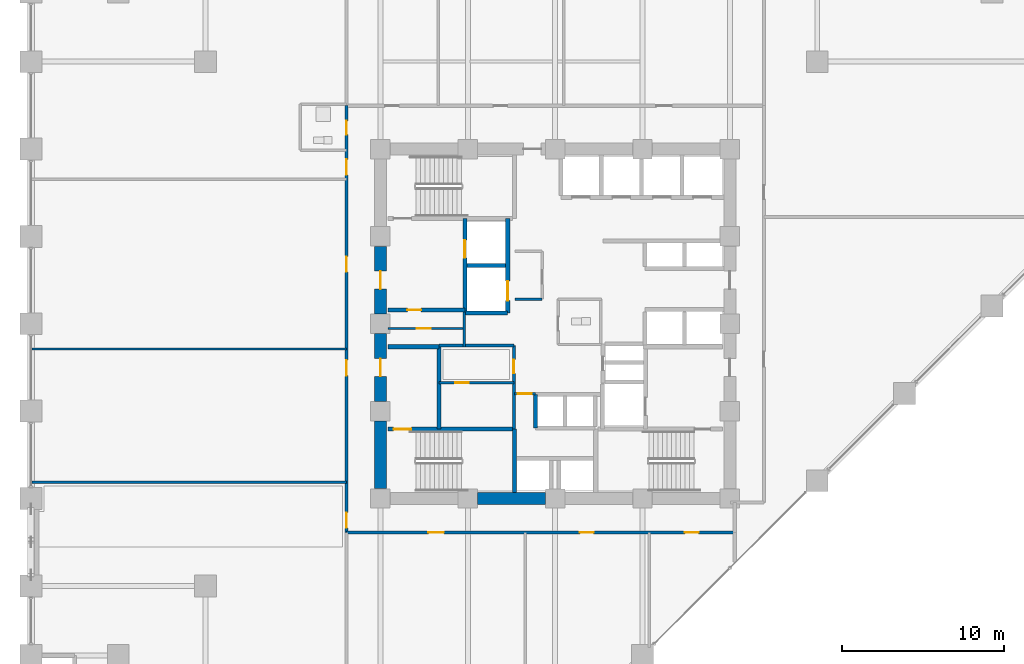
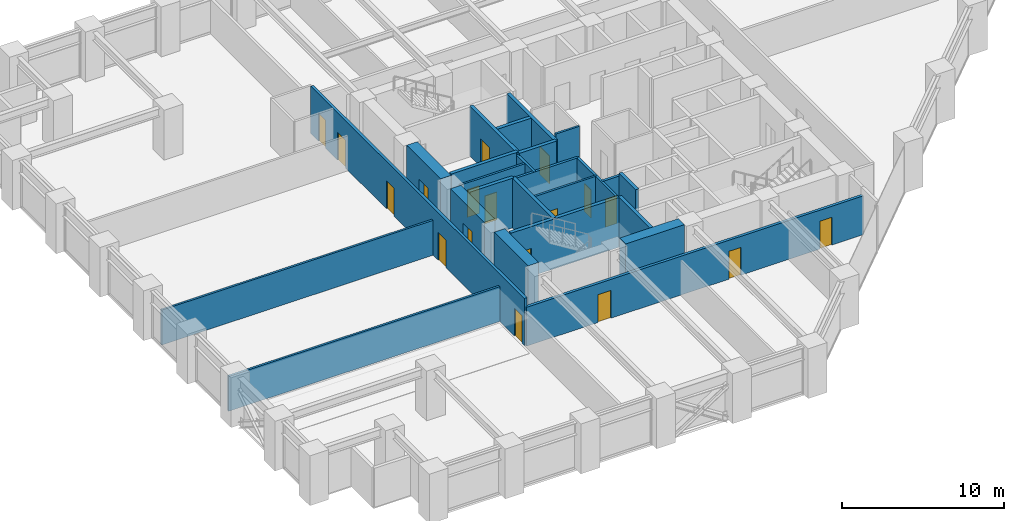
# One storey, part 20 of 25: 25 walls, 18 doors, 18 openings.
"""IFC4 building model written with IfcOpenShell, lengths in metres."""

import ifcopenshell
import ifcopenshell.guid

model = None  # the IFC model being written
_history = None  # IfcOwnerHistory: only IFC2X3 demands one
_inside = {}  # id of a spatial element -> (the spatial element, [elements in it])
_under = {}  # id of a project, library or spatial element -> (it, [spatial elements below it])
_declared = {}  # id of a project -> (the project, [libraries it declares])
_typed = {}  # id of a type object -> (the type object, [elements of that type])
_made_of = {}  # id of a material, layer set ... -> (it, [elements and type objects made of it])


def new_model(schema):
    """Start an empty IFC model of exactly this schema.

    Asked for "IFC4X3", IfcOpenShell would pick the latest addendum, in which some entities
    have other attributes; the version numbers below select the first issue.
    IFC2X3 requires an IfcOwnerHistory on every rooted entity: one is made here for all.
    """
    global model, _history
    if schema == "IFC4X3":
        model = ifcopenshell.file(schema_version=(4, 3, 0, 0))
    else:
        model = ifcopenshell.file(schema=schema)
    _inside.clear()
    _under.clear()
    _declared.clear()
    _typed.clear()
    _made_of.clear()
    _history = None
    if model.schema == "IFC2X3":
        org = make("IfcOrganization", Name="unknown")
        user = make(
            "IfcPersonAndOrganization",
            ThePerson=make("IfcPerson", FamilyName="unknown"),
            TheOrganization=org,
        )
        app = make(
            "IfcApplication",
            ApplicationDeveloper=org,
            Version="unknown",
            ApplicationFullName="unknown",
            ApplicationIdentifier="unknown",
        )
        _history = make(
            "IfcOwnerHistory",
            OwningUser=user,
            OwningApplication=app,
            ChangeAction="ADDED",
            CreationDate=0,
        )
    return model


def make(cls, **values):
    """One entity of the class cls with the attributes given. An attribute that is None is left unset."""
    return model.create_entity(
        cls, **{name: value for name, value in values.items() if value is not None}
    )


def rooted(cls, **values):
    """An entity with a GlobalId (a new one), such as an element, a storey or a relation."""
    return make(cls, GlobalId=ifcopenshell.guid.new(), OwnerHistory=_history, **values)


def si_unit(unit_type, name, prefix=None):
    """IfcSIUnit, for example si_unit("LENGTHUNIT", "METRE", prefix="MILLI")."""
    return make("IfcSIUnit", UnitType=unit_type, Prefix=prefix, Name=name)


def assignment(units):
    """IfcUnitAssignment: the units of a project."""
    return None if units is None else make("IfcUnitAssignment", Units=units)


def point(xyz):
    """IfcCartesianPoint."""
    return None if xyz is None else make("IfcCartesianPoint", Coordinates=xyz)


def direction(xyz):
    """IfcDirection."""
    return None if xyz is None else make("IfcDirection", DirectionRatios=xyz)


def frame(location, z_axis=None, x_axis=None):
    """IfcAxis2Placement3D, a coordinate frame: its origin and axes. An axis left out is left unset."""
    return make(
        "IfcAxis2Placement3D",
        Location=point(location),
        Axis=direction(z_axis),
        RefDirection=direction(x_axis),
    )


def frame_2d(location, x_axis=None):
    """IfcAxis2Placement2D, a coordinate frame in the plane: its origin and x axis."""
    return make(
        "IfcAxis2Placement2D", Location=point(location), RefDirection=direction(x_axis)
    )


def origin():
    """The frame at (0, 0, 0) with its axes left unset."""
    return frame((0.0, 0.0, 0.0))


def place(relative_to, where):
    """IfcLocalPlacement: puts the frame where relative to a parent placement (None: the world)."""
    return make(
        "IfcLocalPlacement", PlacementRelTo=relative_to, RelativePlacement=where
    )


def context(
    kind, dimensions, precision=None, world=None, true_north=None, identifier=None
):
    """IfcGeometricRepresentationContext, for example the 3D "Model" context."""
    return make(
        "IfcGeometricRepresentationContext",
        ContextIdentifier=identifier,
        ContextType=kind,
        CoordinateSpaceDimension=dimensions,
        Precision=precision,
        WorldCoordinateSystem=world,
        TrueNorth=true_north,
    )


def subcontext(parent, identifier, kind, view, scale=None):
    """IfcGeometricRepresentationSubContext, for example "Body" below "Model"."""
    return make(
        "IfcGeometricRepresentationSubContext",
        ContextIdentifier=identifier,
        ContextType=kind,
        ParentContext=parent,
        TargetScale=scale,
        TargetView=view,
    )


def project(units=None, contexts=None):
    """IfcProject with its units and contexts."""
    return rooted(
        "IfcProject",
        Name="project",
        RepresentationContexts=contexts,
        UnitsInContext=assignment(units),
    )


def spatial(cls, under=None, at=None, **own):
    """A site, building, storey or space (cls), placed at a placement, below another one or the project."""
    s = rooted(cls, ObjectPlacement=at, **own)
    if under is not None:
        _under.setdefault(under.id(), (under, []))[1].append(s)
    return s


def profile(cls, at=None, kind="AREA", **sizes):
    """A parametric profile (cls). Its sizes go by their IFC names, for example OverallWidth=200.0."""
    return make(cls, ProfileType=kind, Position=at, **sizes)


def rectangle(**sizes):
    """IfcRectangleProfileDef."""
    return profile("IfcRectangleProfileDef", **sizes)


def extrude(swept, where, along, depth):
    """IfcExtrudedAreaSolid: the profile swept, set in the frame where, extruded along a direction by depth."""
    return make(
        "IfcExtrudedAreaSolid",
        SweptArea=swept,
        Position=where,
        ExtrudedDirection=direction(along),
        Depth=depth,
    )


def shape(context_of_items, identifier, shape_type, items):
    """IfcShapeRepresentation: the items that make up one representation, for example the "Body"."""
    return make(
        "IfcShapeRepresentation",
        ContextOfItems=context_of_items,
        RepresentationIdentifier=identifier,
        RepresentationType=shape_type,
        Items=items,
    )


def material(Name=None, Category=None):
    """IfcMaterial."""
    return make("IfcMaterial", Name=Name, Category=Category)


def layer(
    of_material, thickness, ventilated=None, Name=None, Category=None, Priority=None
):
    """IfcMaterialLayer: one layer of a wall or slab, of a material (None: an air gap)."""
    return make(
        "IfcMaterialLayer",
        Material=of_material,
        LayerThickness=thickness,
        IsVentilated=ventilated,
        Name=Name,
        Category=Category,
        Priority=Priority,
    )


def layer_set(layers, Name=None):
    """IfcMaterialLayerSet."""
    return make("IfcMaterialLayerSet", MaterialLayers=layers, LayerSetName=Name)


def made_of(thing, what):
    """Note that an element or type object is made of a material, layer set ...; save() writes the relation."""
    if what is not None:
        _made_of.setdefault(what.id(), (what, []))[1].append(thing)
    return thing


def type_object(cls, material=None, **own):
    """A type object (cls), such as IfcWallType, which elements share."""
    return made_of(rooted(cls, **own), material)


def element(
    cls,
    number,
    at=None,
    inside=None,
    cuts=None,
    type_object=None,
    material=None,
    context=None,
    identifier="Body",
    shape_type=None,
    held_by="IfcProductDefinitionShape",
    body=None,
    shapes=None,
    **own,
):
    """One element of the class cls, such as IfcWall. Its Tag is "e" and its number.

    at: its placement. inside: the storey or other place that contains it. cuts: it is an
    opening in that element (IfcRelVoidsElement). A single representation is given by context,
    identifier, shape_type and body (its items); several are given by shapes. held_by: the class
    of the entity that holds the representations. save() writes the other relations.
    """
    e = rooted(cls, Tag="e%d" % number, ObjectPlacement=at, **own)
    if body is not None:
        shapes = [shape(context, identifier, shape_type, body)]
    if shapes is not None:
        e.Representation = make(held_by, Representations=shapes)
    if inside is not None:
        _inside.setdefault(inside.id(), (inside, []))[1].append(e)
    if cuts is not None:
        rooted(
            "IfcRelVoidsElement", RelatingBuildingElement=cuts, RelatedOpeningElement=e
        )
    if type_object is not None:
        _typed.setdefault(type_object.id(), (type_object, []))[1].append(e)
    return made_of(e, material)


def fill(opening, filler):
    """IfcRelFillsElement: the door or window that sits in an opening."""
    return rooted(
        "IfcRelFillsElement",
        RelatingOpeningElement=opening,
        RelatedBuildingElement=filler,
    )


def aggregate(whole, parts):
    """IfcRelAggregates: a whole, such as a stair, and the parts it consists of."""
    return rooted("IfcRelAggregates", RelatingObject=whole, RelatedObjects=parts)


def save(model, path):
    """Write the relations noted so far, then the file.

    IfcRelAggregates (storeys below a building ...), IfcRelContainedInSpatialStructure (elements
    in a storey), IfcRelDefinesByType, IfcRelAssociatesMaterial and IfcRelDeclares: one each for
    every whole, place, type object, material and project.
    """
    for whole, parts in _under.values():
        aggregate(whole, parts)
    for where, things in _inside.values():
        rooted(
            "IfcRelContainedInSpatialStructure",
            RelatedElements=things,
            RelatingStructure=where,
        )
    for kind, things in _typed.values():
        rooted("IfcRelDefinesByType", RelatedObjects=things, RelatingType=kind)
    for what, things in _made_of.values():
        rooted("IfcRelAssociatesMaterial", RelatedObjects=things, RelatingMaterial=what)
    for by, libraries in _declared.values():
        rooted("IfcRelDeclares", RelatingContext=by, RelatedDefinitions=libraries)
    model.write(path)


model = new_model("IFC4")

# Units and contexts
model_context = context("Model", 3, precision=1e-05, world=origin(), true_north=direction((0.0, 1.0)))
body_context = subcontext(model_context, "Body", "Model", "MODEL_VIEW")
ifc_project = project(units=[si_unit("LENGTHUNIT", "METRE"), si_unit("AREAUNIT", "SQUARE_METRE"), si_unit("VOLUMEUNIT", "CUBIC_METRE"), si_unit("PLANEANGLEUNIT", "RADIAN"), si_unit("MASSUNIT", "GRAM", prefix="KILO")], contexts=[model_context])

# Site, building, storey
site_placement = place(None, origin())
site = spatial("IfcSite", under=ifc_project, at=site_placement, CompositionType="ELEMENT")
building_placement = place(site_placement, origin())
building = spatial("IfcBuilding", under=site, at=building_placement, Name="Surkhivell Harbour Commons", CompositionType="ELEMENT")
storey_placement = place(building_placement, frame((0.0, 0.0, 45.0)))
storey = spatial("IfcBuildingStorey", under=building, at=storey_placement, Name="L11", CompositionType="ELEMENT", Elevation=45.0)

# Walls
ifc_material_1 = material(Name="Concrete C60/75", Category="concrete")
ifc_layer_1 = layer(ifc_material_1, 0.75)
ifc_layer_set_1 = layer_set([ifc_layer_1], Name="Concrete C60/75")
wall_type_1 = type_object("IfcWallType", Name="WAL-CORE-750", PredefinedType="SHEAR", material=ifc_layer_set_1)
for number, where, z_axis, x_axis, name in (
    (1, (-10.800048828125, -10.18994140625, 0.0), (0.0, 0.0, 1.0), (0.0, 1.0, 0.0), "L11 Core Shear Wall West 1"),
    (2, (-4.7900390625, -10.800048828125, 0.0), (0.0, 0.0, 1.0), (1.0, 0.0, 0.0), "L11 Core Shear Wall South 2"),
):
    element("IfcWall", number, at=place(storey_placement, frame(where, z_axis=z_axis, x_axis=x_axis)), inside=storey, type_object=wall_type_1, Name=name, PredefinedType="SHEAR", context=body_context, shape_type="SweptSolid", body=[
        extrude(rectangle(XDim=4.179931640625, YDim=0.75, at=frame_2d((2.08984375, 0.0))), origin(), (0.0, 0.0, 1.0), 3.75),
    ])

# Wall, opening, door
wall_1_placement = place(storey_placement, frame((-10.800048828125, -4.7900390625, 0.0), z_axis=(0.0, 0.0, 1.0), x_axis=(0.0, 1.0, 0.0)))
wall_1 = element("IfcWall", 3, at=wall_1_placement, inside=storey, type_object=wall_type_1, Name="L11 Core Shear Wall West 2", PredefinedType="SHEAR", context=body_context, shape_type="SweptSolid", body=[
    extrude(rectangle(XDim=4.179931640625, YDim=0.75, at=frame_2d((2.08984375, 0.0))), origin(), (0.0, 0.0, 1.0), 3.75),
])
opening_1_placement = place(wall_1_placement, frame((1.5400390625, 0.0, 0.0)))
opening_1 = element("IfcOpeningElement", 4, at=opening_1_placement, cuts=wall_1, Name="Opening ID-2", PredefinedType="OPENING", context=body_context, shape_type="SweptSolid", body=[
    extrude(rectangle(XDim=1.10009765625, YDim=2.10009765625, at=frame_2d((0.550048828125, 1.050048828125))), frame((0.0, 0.385009765625, 0.0), z_axis=(0.0, -1.0, 0.0), x_axis=(1.0, 0.0, 0.0)), (0.0, 0.0, 1.0), 0.77001953125),
])
ifc_material_2 = material(Name="Hardwood-veneered fire-rated door leaf", Category="wood")
door_type_1 = type_object("IfcDoorType", Name="DOR-FD60-1100", OperationType="NOTDEFINED", PredefinedType="DOOR", material=ifc_material_2)
door_1_placement = place(opening_1_placement, origin())
door_1 = element("IfcDoor", 5, at=door_1_placement, inside=storey, type_object=door_type_1, Name="L11 Stair 3 Lobby Corridor Door", OperationType="SINGLE_SWING_LEFT", OverallHeight=2.10009765625, OverallWidth=1.10009765625, PredefinedType="DOOR", context=body_context, shape_type="SweptSolid", body=[
    extrude(rectangle(XDim=1.10009765625, YDim=2.10009765625, at=frame_2d((0.550048828125, 1.050048828125))), frame((0.0, 0.02490234375, 0.0), z_axis=(0.0, -1.0, 0.0), x_axis=(1.0, 0.0, 0.0)), (0.0, 0.0, 1.0), 0.050048828125),
])
fill(opening_1, door_1)

wall_2_placement = place(storey_placement, frame((-10.800048828125, 0.610107421875, 0.0), z_axis=(0.0, 0.0, 1.0), x_axis=(0.0, 1.0, 0.0)))
wall_2 = element("IfcWall", 6, at=wall_2_placement, inside=storey, type_object=wall_type_1, Name="L11 Core Shear Wall West 3", PredefinedType="SHEAR", context=body_context, shape_type="SweptSolid", body=[
    extrude(rectangle(XDim=4.179931640625, YDim=0.75, at=frame_2d((2.08984375, 0.0))), origin(), (0.0, 0.0, 1.0), 3.75),
])
opening_2_placement = place(wall_2_placement, frame((1.5400390625, 0.0, 0.0)))
opening_2 = element("IfcOpeningElement", 7, at=opening_2_placement, cuts=wall_2, Name="Opening ID-1", PredefinedType="OPENING", context=body_context, shape_type="SweptSolid", body=[
    extrude(rectangle(XDim=1.10009765625, YDim=2.10009765625, at=frame_2d((0.550048828125, 1.050048828125))), frame((0.0, 0.385009765625, 0.0), z_axis=(0.0, -1.0, 0.0), x_axis=(1.0, 0.0, 0.0)), (0.0, 0.0, 1.0), 0.77001953125),
])
door_type_2 = type_object("IfcDoorType", Name="DOR-FD120-1100", OperationType="NOTDEFINED", PredefinedType="DOOR", material=ifc_material_2)
door_2_placement = place(opening_2_placement, origin())
door_2 = element("IfcDoor", 8, at=door_2_placement, inside=storey, type_object=door_type_2, Name="L11 Firefighting Lobby 1 Corridor Door", OperationType="SINGLE_SWING_LEFT", OverallHeight=2.10009765625, OverallWidth=1.10009765625, PredefinedType="DOOR", context=body_context, shape_type="SweptSolid", body=[
    extrude(rectangle(XDim=1.10009765625, YDim=2.10009765625, at=frame_2d((0.550048828125, 1.050048828125))), frame((0.0, 0.02490234375, 0.0), z_axis=(0.0, -1.0, 0.0), x_axis=(1.0, 0.0, 0.0)), (0.0, 0.0, 1.0), 0.050048828125),
])
fill(opening_2, door_2)

ifc_material_3 = material(Name="Twin-stud acoustic fireboard partition", Category="other")
ifc_layer_2 = layer(ifc_material_3, 0.14990234375)
ifc_layer_set_2 = layer_set([ifc_layer_2], Name="Twin-stud acoustic fireboard partition")
wall_type_2 = type_object("IfcWallType", Name="WAL-INT-150", PredefinedType="PARTITIONING", material=ifc_layer_set_2)
wall_3_placement = place(storey_placement, frame((-7.179931640625, -3.64990234375, 0.0), z_axis=(0.0, 0.0, 1.0), x_axis=(1.0, 0.0, 0.0)))
wall_3 = element("IfcWall", 9, at=wall_3_placement, inside=storey, type_object=wall_type_2, Name="L11 Core Cut C1 Partition", PredefinedType="PARTITIONING", context=body_context, shape_type="SweptSolid", body=[
    extrude(rectangle(XDim=4.6298828125, YDim=0.14990234375, at=frame_2d((2.31494140625, 0.0))), origin(), (0.0, 0.0, 1.0), 3.570068359375),
])
opening_3_placement = place(wall_3_placement, frame((1.0, 0.0, 0.0)))
opening_3 = element("IfcOpeningElement", 10, at=opening_3_placement, cuts=wall_3, Name="Opening ID-6", PredefinedType="OPENING", context=body_context, shape_type="SweptSolid", body=[
    extrude(rectangle(XDim=0.85009765625, YDim=2.10009765625, at=frame_2d((0.425048828125, 1.050048828125))), frame((0.0, 0.0849609375, 0.0), z_axis=(0.0, -1.0, 0.0), x_axis=(1.0, 0.0, 0.0)), (0.0, 0.0, 1.0), 0.169921875),
])
door_type_3 = type_object("IfcDoorType", Name="DOR-FD30-850", OperationType="NOTDEFINED", PredefinedType="DOOR", material=ifc_material_2)
door_3_placement = place(opening_3_placement, origin())
door_3 = element("IfcDoor", 11, at=door_3_placement, inside=storey, type_object=door_type_3, Name="L11 Cleaner Room Door", OperationType="SINGLE_SWING_LEFT", OverallHeight=2.10009765625, OverallWidth=0.85009765625, PredefinedType="DOOR", context=body_context, shape_type="SweptSolid", body=[
    extrude(rectangle(XDim=0.85009765625, YDim=2.10009765625, at=frame_2d((0.425048828125, 1.050048828125))), frame((0.0, 0.02490234375, 0.0), z_axis=(0.0, -1.0, 0.0), x_axis=(1.0, 0.0, 0.0)), (0.0, 0.0, 1.0), 0.050048828125),
])
fill(opening_3, door_3)

wall_4_placement = place(storey_placement, frame((-10.340087890625, -0.2900390625, 0.0), z_axis=(0.0, 0.0, 1.0), x_axis=(1.0, 0.0, 0.0)))
wall_4 = element("IfcWall", 12, at=wall_4_placement, inside=storey, type_object=wall_type_2, Name="L11 West Core Horizontal Cut", PredefinedType="PARTITIONING", context=body_context, shape_type="SweptSolid", body=[
    extrude(rectangle(XDim=4.719970703125, YDim=0.14990234375, at=frame_2d((2.35986328125, 0.0))), origin(), (0.0, 0.0, 1.0), 3.570068359375),
])
opening_4_placement = place(wall_4_placement, frame((1.800048828125, 0.0, 0.0)))
opening_4 = element("IfcOpeningElement", 13, at=opening_4_placement, cuts=wall_4, Name="Opening ID-6", PredefinedType="OPENING", context=body_context, shape_type="SweptSolid", body=[
    extrude(rectangle(XDim=0.85009765625, YDim=2.10009765625, at=frame_2d((0.425048828125, 1.050048828125))), frame((0.0, 0.0849609375, 0.0), z_axis=(0.0, -1.0, 0.0), x_axis=(1.0, 0.0, 0.0)), (0.0, 0.0, 1.0), 0.169921875),
])
door_4_placement = place(opening_4_placement, origin())
door_4 = element("IfcDoor", 14, at=door_4_placement, inside=storey, type_object=door_type_3, Name="L11 West Music Pod Door", OperationType="SINGLE_SWING_RIGHT", OverallHeight=2.10009765625, OverallWidth=0.85009765625, PredefinedType="DOOR", context=body_context, shape_type="SweptSolid", body=[
    extrude(rectangle(XDim=0.85009765625, YDim=2.10009765625, at=frame_2d((0.425048828125, 1.050048828125))), frame((0.0, 0.02490234375, 0.0), z_axis=(0.0, -1.0, 0.0), x_axis=(1.0, 0.0, 0.0)), (0.0, 0.0, 1.0), 0.050048828125),
])
fill(opening_4, door_4)

# Walls
wall_5_placement = place(storey_placement, frame((-2.47998046875, 1.52001953125, 0.0), z_axis=(0.0, 0.0, 1.0), x_axis=(1.0, 0.0, 0.0)))
element("IfcWall", 15, at=wall_5_placement, inside=storey, type_object=wall_type_2, Name="L11 Core Seminar South Wall", PredefinedType="PARTITIONING", context=body_context, shape_type="SweptSolid", body=[
    extrude(rectangle(XDim=1.679931640625, YDim=0.14990234375, at=frame_2d((0.83984375, 0.0))), origin(), (0.0, 0.0, 1.0), 3.570068359375),
])
for number, where, z_axis, x_axis, name in (
    (16, (-32.340087890625, -1.56005859375, 0.0), (0.0, 0.0, 1.0), (1.0, 0.0, 0.0), "L11 West Partition BDP1"),
    (17, (-32.340087890625, -9.800048828125, 0.0), (0.0, 0.0, 1.0), (1.0, 0.0, 0.0), "L11 West Partition PBOT"),
):
    element("IfcWall", number, at=place(storey_placement, frame(where, z_axis=z_axis, x_axis=x_axis)), inside=storey, type_object=wall_type_2, Name=name, PredefinedType="PARTITIONING", context=body_context, shape_type="SweptSolid", body=[
        extrude(rectangle(XDim=19.440185546875, YDim=0.14990234375, at=frame_2d((9.72021484375, 0.0))), origin(), (0.0, 0.0, 1.0), 2.62890625),
    ])

# Wall, opening, door
ifc_material_4 = material(Name="High-density acoustic blockwork fire partition", Category="masonry")
ifc_layer_3 = layer(ifc_material_4, 0.175048828125)
ifc_layer_set_3 = layer_set([ifc_layer_3], Name="High-density acoustic blockwork fire partition")
wall_type_3 = type_object("IfcWallType", Name="WAL-INT-175", PredefinedType="PARTITIONING", material=ifc_layer_set_3)
wall_6_placement = place(storey_placement, frame((-2.550048828125, -6.510009765625, 0.0), z_axis=(0.0, 0.0, 1.0), x_axis=(0.0, 1.0, 0.0)))
wall_6 = element("IfcWall", 18, at=wall_6_placement, inside=storey, type_object=wall_type_3, Name="L11 Core Service Bay East Wall", PredefinedType="PARTITIONING", context=body_context, shape_type="SweptSolid", body=[
    extrude(rectangle(XDim=5.159912109375, YDim=0.175048828125, at=frame_2d((2.580078125, 0.0))), origin(), (0.0, 0.0, 1.0), 3.570068359375),
])
opening_5_placement = place(wall_6_placement, frame((3.449951171875, 0.0, 0.0)))
opening_5 = element("IfcOpeningElement", 19, at=opening_5_placement, cuts=wall_6, Name="Opening ID-6", PredefinedType="OPENING", context=body_context, shape_type="SweptSolid", body=[
    extrude(rectangle(XDim=0.85009765625, YDim=2.10009765625, at=frame_2d((0.425048828125, 1.050048828125))), frame((0.0, 0.097412109375, 0.0), z_axis=(0.0, -1.0, 0.0), x_axis=(1.0, 0.0, 0.0)), (0.0, 0.0, 1.0), 0.195068359375),
])
door_5_placement = place(opening_5_placement, origin())
door_5 = element("IfcDoor", 20, at=door_5_placement, inside=storey, type_object=door_type_3, Name="L11 Core Seminar Door", OperationType="SINGLE_SWING_LEFT", OverallHeight=2.10009765625, OverallWidth=0.85009765625, PredefinedType="DOOR", context=body_context, shape_type="SweptSolid", body=[
    extrude(rectangle(XDim=0.85009765625, YDim=2.10009765625, at=frame_2d((0.425048828125, 1.050048828125))), frame((0.0, 0.02490234375, 0.0), z_axis=(0.0, -1.0, 0.0), x_axis=(1.0, 0.0, 0.0)), (0.0, 0.0, 1.0), 0.050048828125),
])
fill(opening_5, door_5)

# Walls
wall_7_placement = place(storey_placement, frame((-7.179931640625, -1.35009765625, 0.0), z_axis=(0.0, 0.0, 1.0), x_axis=(1.0, 0.0, 0.0)))
element("IfcWall", 21, at=wall_7_placement, inside=storey, type_object=wall_type_3, Name="L11 Core Service Bay North Wall", PredefinedType="PARTITIONING", context=body_context, shape_type="SweptSolid", body=[
    extrude(rectangle(XDim=4.6298828125, YDim=0.175048828125, at=frame_2d((2.31494140625, 0.0))), origin(), (0.0, 0.0, 1.0), 3.570068359375),
])
wall_8_placement = place(storey_placement, frame((-5.6201171875, -1.419921875, 0.0), z_axis=(0.0, 0.0, 1.0), x_axis=(0.0, 1.0, 0.0)))
element("IfcWall", 22, at=wall_8_placement, inside=storey, type_object=wall_type_3, Name="L11 West Core Bay East Wall", PredefinedType="PARTITIONING", context=body_context, shape_type="SweptSolid", body=[
    extrude(rectangle(XDim=2.139892578125, YDim=0.175048828125, at=frame_2d((1.06982421875, 0.0))), origin(), (0.0, 0.0, 1.0), 3.570068359375),
])

# Wall, opening, door
wall_9_placement = place(storey_placement, frame((-2.52001953125, -4.320068359375, 0.0), z_axis=(0.0, 0.0, 1.0), x_axis=(1.0, 0.0, 0.0)))
wall_9 = element("IfcWall", 23, at=wall_9_placement, inside=storey, type_object=wall_type_3, Name="L11 High-Rise Lobby North Portal Wall", PredefinedType="PARTITIONING", context=body_context, shape_type="SweptSolid", body=[
    extrude(rectangle(XDim=1.300048828125, YDim=0.175048828125, at=frame_2d((0.64990234375, 0.0))), origin(), (0.0, 0.0, 1.0), 3.570068359375),
])
opening_6_placement = place(wall_9_placement, frame((0.219970703125, 0.0, 0.0)))
opening_6 = element("IfcOpeningElement", 24, at=opening_6_placement, cuts=wall_9, Name="Opening ID-6", PredefinedType="OPENING", context=body_context, shape_type="SweptSolid", body=[
    extrude(rectangle(XDim=0.85009765625, YDim=2.10009765625, at=frame_2d((0.425048828125, 1.050048828125))), frame((0.0, 0.097412109375, 0.0), z_axis=(0.0, -1.0, 0.0), x_axis=(1.0, 0.0, 0.0)), (0.0, 0.0, 1.0), 0.195068359375),
])
door_6_placement = place(opening_6_placement, origin())
door_6 = element("IfcDoor", 25, at=door_6_placement, inside=storey, type_object=door_type_3, Name="L11 High-Rise Lift Lobby North Door", OperationType="SINGLE_SWING_LEFT", OverallHeight=2.10009765625, OverallWidth=0.85009765625, PredefinedType="DOOR", context=body_context, shape_type="SweptSolid", body=[
    extrude(rectangle(XDim=0.85009765625, YDim=2.10009765625, at=frame_2d((0.425048828125, 1.050048828125))), frame((0.0, 0.02490234375, 0.0), z_axis=(0.0, -1.0, 0.0), x_axis=(1.0, 0.0, 0.0)), (0.0, 0.0, 1.0), 0.050048828125),
])
fill(opening_6, door_6)

# Wall, openings, doors
ifc_material_5 = material(Name="Autoclaved aerated concrete blockwork and fire plaster", Category="masonry")
ifc_layer_4 = layer(ifc_material_5, 0.199951171875)
ifc_layer_set_4 = layer_set([ifc_layer_4], Name="Autoclaved aerated concrete blockwork and fire plaster")
wall_type_4 = type_object("IfcWallType", Name="WAL-INT-200", PredefinedType="PARTITIONING", material=ifc_layer_set_4)
wall_10_placement = place(storey_placement, frame((-12.89990234375, -12.89990234375, 0.0), z_axis=(0.0, 0.0, 1.0), x_axis=(1.0, 0.0, 0.0)))
wall_10 = element("IfcWall", 26, at=wall_10_placement, inside=storey, type_object=wall_type_4, Name="L11 Corridor South Wall", PredefinedType="PARTITIONING", context=body_context, shape_type="SweptSolid", body=[
    extrude(rectangle(XDim=24.0, YDim=0.199951171875, at=frame_2d((12.0, 0.0))), origin(), (0.0, 0.0, 1.0), 2.929931640625),
])
opening_7_placement = place(wall_10_placement, frame((5.070068359375, 0.0, 0.0)))
opening_7 = element("IfcOpeningElement", 27, at=opening_7_placement, cuts=wall_10, Name="Opening ID-4", PredefinedType="OPENING", context=body_context, shape_type="SweptSolid", body=[
    extrude(rectangle(XDim=0.949951171875, YDim=2.10009765625, at=frame_2d((0.47509765625, 1.050048828125))), frame((0.0, 0.10986328125, 0.0), z_axis=(0.0, -1.0, 0.0), x_axis=(1.0, 0.0, 0.0)), (0.0, 0.0, 1.0), 0.219970703125),
])
opening_8_placement = place(wall_10_placement, frame((14.429931640625, 0.0, 0.0)))
opening_8 = element("IfcOpeningElement", 28, at=opening_8_placement, cuts=wall_10, Name="Opening ID-6", PredefinedType="OPENING", context=body_context, shape_type="SweptSolid", body=[
    extrude(rectangle(XDim=0.85009765625, YDim=2.10009765625, at=frame_2d((0.425048828125, 1.050048828125))), frame((0.0, 0.10986328125, 0.0), z_axis=(0.0, -1.0, 0.0), x_axis=(1.0, 0.0, 0.0)), (0.0, 0.0, 1.0), 0.219970703125),
])
opening_9_placement = place(wall_10_placement, frame((20.909912109375, 0.0, 0.0)))
opening_9 = element("IfcOpeningElement", 29, at=opening_9_placement, cuts=wall_10, Name="Opening ID-6", PredefinedType="OPENING", context=body_context, shape_type="SweptSolid", body=[
    extrude(rectangle(XDim=0.85009765625, YDim=2.10009765625, at=frame_2d((0.425048828125, 1.050048828125))), frame((0.0, 0.10986328125, 0.0), z_axis=(0.0, -1.0, 0.0), x_axis=(1.0, 0.0, 0.0)), (0.0, 0.0, 1.0), 0.219970703125),
])
door_7_placement = place(opening_8_placement, origin())
door_7 = element("IfcDoor", 30, at=door_7_placement, inside=storey, type_object=door_type_3, Name="L11 Resident Social Lounge 2 South Door", OperationType="SINGLE_SWING_LEFT", OverallHeight=2.10009765625, OverallWidth=0.85009765625, PredefinedType="DOOR", context=body_context, shape_type="SweptSolid", body=[
    extrude(rectangle(XDim=0.85009765625, YDim=2.10009765625, at=frame_2d((0.425048828125, 1.050048828125))), frame((0.0, 0.02490234375, 0.0), z_axis=(0.0, -1.0, 0.0), x_axis=(1.0, 0.0, 0.0)), (0.0, 0.0, 1.0), 0.050048828125),
])
fill(opening_8, door_7)
door_8_placement = place(opening_9_placement, origin())
door_8 = element("IfcDoor", 31, at=door_8_placement, inside=storey, type_object=door_type_3, Name="L11 Resident Social Lounge 3 South Door", OperationType="SINGLE_SWING_RIGHT", OverallHeight=2.10009765625, OverallWidth=0.85009765625, PredefinedType="DOOR", context=body_context, shape_type="SweptSolid", body=[
    extrude(rectangle(XDim=0.85009765625, YDim=2.10009765625, at=frame_2d((0.425048828125, 1.050048828125))), frame((0.0, 0.02490234375, 0.0), z_axis=(0.0, -1.0, 0.0), x_axis=(1.0, 0.0, 0.0)), (0.0, 0.0, 1.0), 0.050048828125),
])
fill(opening_9, door_8)
door_type_4 = type_object("IfcDoorType", Name="DOR-FD60-950", OperationType="NOTDEFINED", PredefinedType="DOOR", material=ifc_material_2)
door_9_placement = place(opening_7_placement, origin())
door_9 = element("IfcDoor", 32, at=door_9_placement, inside=storey, type_object=door_type_4, Name="L11 Harbour Social Lounge South Door", OperationType="SINGLE_SWING_RIGHT", OverallHeight=2.10009765625, OverallWidth=0.949951171875, PredefinedType="DOOR", context=body_context, shape_type="SweptSolid", body=[
    extrude(rectangle(XDim=0.949951171875, YDim=2.10009765625, at=frame_2d((0.47509765625, 1.050048828125))), frame((0.0, 0.02490234375, 0.0), z_axis=(0.0, -1.0, 0.0), x_axis=(1.0, 0.0, 0.0)), (0.0, 0.0, 1.0), 0.050048828125),
])
fill(opening_7, door_9)

wall_11_placement = place(storey_placement, frame((-12.89990234375, -12.89990234375, 0.0), z_axis=(0.0, 0.0, 1.0), x_axis=(0.0, 1.0, 0.0)))
wall_11 = element("IfcWall", 33, at=wall_11_placement, inside=storey, type_object=wall_type_4, Name="L11 Corridor West Wall", PredefinedType="PARTITIONING", context=body_context, shape_type="SweptSolid", body=[
    extrude(rectangle(XDim=26.3798828125, YDim=0.199951171875, at=frame_2d((13.18994140625, 0.0))), origin(), (0.0, 0.0, 1.0), 3.570068359375),
])
opening_10_placement = place(wall_11_placement, frame((0.280029296875, 0.0, 0.0)))
opening_10 = element("IfcOpeningElement", 34, at=opening_10_placement, cuts=wall_11, Name="Opening ID-4", PredefinedType="OPENING", context=body_context, shape_type="SweptSolid", body=[
    extrude(rectangle(XDim=0.949951171875, YDim=2.10009765625, at=frame_2d((0.47509765625, 1.050048828125))), frame((0.0, 0.10986328125, 0.0), z_axis=(0.0, -1.0, 0.0), x_axis=(1.0, 0.0, 0.0)), (0.0, 0.0, 1.0), 0.219970703125),
])
opening_11_placement = place(wall_11_placement, frame((24.5849609375, 0.0, 0.0)))
opening_11 = element("IfcOpeningElement", 35, at=opening_11_placement, cuts=wall_11, Name="Opening ID-6", PredefinedType="OPENING", context=body_context, shape_type="SweptSolid", body=[
    extrude(rectangle(XDim=0.85009765625, YDim=2.10009765625, at=frame_2d((0.425048828125, 1.050048828125))), frame((0.0, 0.10986328125, 0.0), z_axis=(0.0, -1.0, 0.0), x_axis=(1.0, 0.0, 0.0)), (0.0, 0.0, 1.0), 0.219970703125),
])
opening_12_placement = place(wall_11_placement, frame((22.110107421875, 0.0, 0.0)))
opening_12 = element("IfcOpeningElement", 36, at=opening_12_placement, cuts=wall_11, Name="Opening ID-4", PredefinedType="OPENING", context=body_context, shape_type="SweptSolid", body=[
    extrude(rectangle(XDim=0.949951171875, YDim=2.10009765625, at=frame_2d((0.47509765625, 1.050048828125))), frame((0.0, 0.10986328125, 0.0), z_axis=(0.0, -1.0, 0.0), x_axis=(1.0, 0.0, 0.0)), (0.0, 0.0, 1.0), 0.219970703125),
])
opening_13_placement = place(wall_11_placement, frame((9.7021484375, 0.0, 0.0)))
opening_13 = element("IfcOpeningElement", 37, at=opening_13_placement, cuts=wall_11, Name="Opening ID-4", PredefinedType="OPENING", context=body_context, shape_type="SweptSolid", body=[
    extrude(rectangle(XDim=0.949951171875, YDim=2.10009765625, at=frame_2d((0.47509765625, 1.050048828125))), frame((0.0, 0.10986328125, 0.0), z_axis=(0.0, -1.0, 0.0), x_axis=(1.0, 0.0, 0.0)), (0.0, 0.0, 1.0), 0.219970703125),
])
opening_14_placement = place(wall_11_placement, frame((16.10498046875, 0.0, 0.0)))
opening_14 = element("IfcOpeningElement", 38, at=opening_14_placement, cuts=wall_11, Name="Opening ID-4", PredefinedType="OPENING", context=body_context, shape_type="SweptSolid", body=[
    extrude(rectangle(XDim=0.949951171875, YDim=2.10009765625, at=frame_2d((0.47509765625, 1.050048828125))), frame((0.0, 0.10986328125, 0.0), z_axis=(0.0, -1.0, 0.0), x_axis=(1.0, 0.0, 0.0)), (0.0, 0.0, 1.0), 0.219970703125),
])
door_10_placement = place(opening_11_placement, origin())
door_10 = element("IfcDoor", 39, at=door_10_placement, inside=storey, type_object=door_type_3, Name="L11 Communal Shower Bathroom West Door", OperationType="SINGLE_SWING_LEFT", OverallHeight=2.10009765625, OverallWidth=0.85009765625, PredefinedType="DOOR", context=body_context, shape_type="SweptSolid", body=[
    extrude(rectangle(XDim=0.85009765625, YDim=2.10009765625, at=frame_2d((0.425048828125, 1.050048828125))), frame((0.0, 0.02490234375, 0.0), z_axis=(0.0, -1.0, 0.0), x_axis=(1.0, 0.0, 0.0)), (0.0, 0.0, 1.0), 0.050048828125),
])
fill(opening_11, door_10)
door_11_placement = place(opening_10_placement, origin())
door_11 = element("IfcDoor", 40, at=door_11_placement, inside=storey, type_object=door_type_4, Name="L11 Shared Communal Kitchen West Door", OperationType="SINGLE_SWING_RIGHT", OverallHeight=2.10009765625, OverallWidth=0.949951171875, PredefinedType="DOOR", context=body_context, shape_type="SweptSolid", body=[
    extrude(rectangle(XDim=0.949951171875, YDim=2.10009765625, at=frame_2d((0.47509765625, 1.050048828125))), frame((0.0, 0.02490234375, 0.0), z_axis=(0.0, -1.0, 0.0), x_axis=(1.0, 0.0, 0.0)), (0.0, 0.0, 1.0), 0.050048828125),
])
fill(opening_10, door_11)
door_12_placement = place(opening_12_placement, origin())
door_12 = element("IfcDoor", 41, at=door_12_placement, inside=storey, type_object=door_type_4, Name="L11 Academic Reading Commons West Door", OperationType="SINGLE_SWING_RIGHT", OverallHeight=2.10009765625, OverallWidth=0.949951171875, PredefinedType="DOOR", context=body_context, shape_type="SweptSolid", body=[
    extrude(rectangle(XDim=0.949951171875, YDim=2.10009765625, at=frame_2d((0.47509765625, 1.050048828125))), frame((0.0, 0.02490234375, 0.0), z_axis=(0.0, -1.0, 0.0), x_axis=(1.0, 0.0, 0.0)), (0.0, 0.0, 1.0), 0.050048828125),
])
fill(opening_12, door_12)
door_13_placement = place(opening_13_placement, origin())
door_13 = element("IfcDoor", 42, at=door_13_placement, inside=storey, type_object=door_type_4, Name="L11 Hostel Cluster Bedroom 1 West Door", OperationType="SINGLE_SWING_LEFT", OverallHeight=2.10009765625, OverallWidth=0.949951171875, PredefinedType="DOOR", context=body_context, shape_type="SweptSolid", body=[
    extrude(rectangle(XDim=0.949951171875, YDim=2.10009765625, at=frame_2d((0.47509765625, 1.050048828125))), frame((0.0, 0.02490234375, 0.0), z_axis=(0.0, -1.0, 0.0), x_axis=(1.0, 0.0, 0.0)), (0.0, 0.0, 1.0), 0.050048828125),
])
fill(opening_13, door_13)
door_14_placement = place(opening_14_placement, origin())
door_14 = element("IfcDoor", 43, at=door_14_placement, inside=storey, type_object=door_type_4, Name="L11 Co-Living Dormitory Bedroom 2 West Door", OperationType="SINGLE_SWING_RIGHT", OverallHeight=2.10009765625, OverallWidth=0.949951171875, PredefinedType="DOOR", context=body_context, shape_type="SweptSolid", body=[
    extrude(rectangle(XDim=0.949951171875, YDim=2.10009765625, at=frame_2d((0.47509765625, 1.050048828125))), frame((0.0, 0.02490234375, 0.0), z_axis=(0.0, -1.0, 0.0), x_axis=(1.0, 0.0, 0.0)), (0.0, 0.0, 1.0), 0.050048828125),
])
fill(opening_14, door_14)

# Wall, opening, door
ifc_material_6 = material(Name="Concrete C50/60", Category="concrete")
ifc_layer_5 = layer(ifc_material_6, 0.25)
ifc_layer_set_5 = layer_set([ifc_layer_5], Name="Concrete C50/60")
wall_type_5 = type_object("IfcWallType", Name="WAL-SHAFT-250", PredefinedType="SHEAR", material=ifc_layer_set_5)
wall_12_placement = place(storey_placement, frame((-5.580078125, 0.719970703125, 0.0), z_axis=(0.0, 0.0, 1.0), x_axis=(0.0, 1.0, 0.0)))
wall_12 = element("IfcWall", 44, at=wall_12_placement, inside=storey, type_object=wall_type_5, Name="L11 Firefighting Lobby 1 East Shaft Wall", PredefinedType="SHEAR", context=body_context, shape_type="SweptSolid", body=[
    extrude(rectangle(XDim=5.7900390625, YDim=0.25, at=frame_2d((2.89501953125, 0.0))), origin(), (0.0, 0.0, 1.0), 3.75),
])
opening_15_placement = place(wall_12_placement, frame((3.35009765625, 0.0, 0.0)))
opening_15 = element("IfcOpeningElement", 45, at=opening_15_placement, cuts=wall_12, Name="Opening LD-1", PredefinedType="OPENING", context=body_context, shape_type="SweptSolid", body=[
    extrude(rectangle(XDim=1.10009765625, YDim=2.10009765625, at=frame_2d((0.550048828125, 1.050048828125))), frame((0.0, 0.135009765625, 0.0), z_axis=(0.0, -1.0, 0.0), x_axis=(1.0, 0.0, 0.0)), (0.0, 0.0, 1.0), 0.27001953125),
])
ifc_material_7 = material(Name="Brushed stainless steel S355", Category="steel")
door_type_5 = type_object("IfcDoorType", Name="DOR-LD-1100", OperationType="SLIDING_TO_LEFT", PredefinedType="DOOR", material=ifc_material_7)
door_15_placement = place(opening_15_placement, origin())
door_15 = element("IfcDoor", 46, at=door_15_placement, inside=storey, type_object=door_type_5, Name="L11 Lift Landing Door LD-FFL1", OperationType="SLIDING_TO_LEFT", OverallHeight=2.10009765625, OverallWidth=1.10009765625, PredefinedType="DOOR", context=body_context, shape_type="SweptSolid", body=[
    extrude(rectangle(XDim=1.10009765625, YDim=2.10009765625, at=frame_2d((0.550048828125, 1.050048828125))), frame((0.0, 0.02490234375, 0.0), z_axis=(0.0, -1.0, 0.0), x_axis=(1.0, 0.0, 0.0)), (0.0, 0.0, 1.0), 0.050048828125),
])
fill(opening_15, door_15)

wall_13_placement = place(storey_placement, frame((-10.340087890625, 0.85009765625, 0.0), z_axis=(0.0, 0.0, 1.0), x_axis=(1.0, 0.0, 0.0)))
wall_13 = element("IfcWall", 47, at=wall_13_placement, inside=storey, type_object=wall_type_5, Name="L11 Firefighting Lobby 1 South Wall", PredefinedType="SHEAR", context=body_context, shape_type="SweptSolid", body=[
    extrude(rectangle(XDim=4.760009765625, YDim=0.25, at=frame_2d((2.3798828125, 0.0))), origin(), (0.0, 0.0, 1.0), 3.75),
])
opening_16_placement = place(wall_13_placement, frame((1.199951171875, 0.0, 0.0)))
opening_16 = element("IfcOpeningElement", 48, at=opening_16_placement, cuts=wall_13, Name="Opening ID-6", PredefinedType="OPENING", context=body_context, shape_type="SweptSolid", body=[
    extrude(rectangle(XDim=0.85009765625, YDim=2.10009765625, at=frame_2d((0.425048828125, 1.050048828125))), frame((0.0, 0.135009765625, 0.0), z_axis=(0.0, -1.0, 0.0), x_axis=(1.0, 0.0, 0.0)), (0.0, 0.0, 1.0), 0.27001953125),
])
door_16_placement = place(opening_16_placement, origin())
door_16 = element("IfcDoor", 49, at=door_16_placement, inside=storey, type_object=door_type_3, Name="L11 West Reading Alcove Door", OperationType="SINGLE_SWING_LEFT", OverallHeight=2.10009765625, OverallWidth=0.85009765625, PredefinedType="DOOR", context=body_context, shape_type="SweptSolid", body=[
    extrude(rectangle(XDim=0.85009765625, YDim=2.10009765625, at=frame_2d((0.425048828125, 1.050048828125))), frame((0.0, 0.02490234375, 0.0), z_axis=(0.0, -1.0, 0.0), x_axis=(1.0, 0.0, 0.0)), (0.0, 0.0, 1.0), 0.050048828125),
])
fill(opening_16, door_16)

# Walls
wall_14_placement = place(storey_placement, frame((-1.219970703125, -6.43994140625, 0.0), z_axis=(0.0, 0.0, 1.0), x_axis=(0.0, 1.0, 0.0)))
element("IfcWall", 50, at=wall_14_placement, inside=storey, type_object=wall_type_5, Name="L11 High-Rise Passage East Shaft Wall", PredefinedType="SHEAR", context=body_context, shape_type="SweptSolid", body=[
    extrude(rectangle(XDim=2.079833984375, YDim=0.25, at=frame_2d((1.0400390625, 0.0))), origin(), (0.0, 0.0, 1.0), 3.75),
])
wall_15_placement = place(storey_placement, frame((-2.510009765625, -10.425048828125, 0.0), z_axis=(0.0, 0.0, 1.0), x_axis=(0.0, 1.0, 0.0)))
element("IfcWall", 51, at=wall_15_placement, inside=storey, type_object=wall_type_5, Name="L11 Stair ST3 East Shear Wall", PredefinedType="SHEAR", context=body_context, shape_type="SweptSolid", body=[
    extrude(rectangle(XDim=3.9150390625, YDim=0.25, at=frame_2d((1.95751953125, 0.0))), origin(), (0.0, 0.0, 1.0), 3.75),
])
wall_16_placement = place(storey_placement, frame((-7.179931640625, -6.510009765625, 0.0), z_axis=(0.0, 0.0, 1.0), x_axis=(0.0, 1.0, 0.0)))
element("IfcWall", 52, at=wall_16_placement, inside=storey, type_object=wall_type_5, Name="L11 Stair 3 Lobby East Wall", PredefinedType="SHEAR", context=body_context, shape_type="SweptSolid", body=[
    extrude(rectangle(XDim=5.090087890625, YDim=0.25, at=frame_2d((2.544921875, 0.0))), origin(), (0.0, 0.0, 1.0), 3.75),
])
wall_17_placement = place(storey_placement, frame((-10.340087890625, -1.419921875, 0.0), z_axis=(0.0, 0.0, 1.0), x_axis=(1.0, 0.0, 0.0)))
element("IfcWall", 53, at=wall_17_placement, inside=storey, type_object=wall_type_5, Name="L11 Stair 3 Lobby North Wall", PredefinedType="SHEAR", context=body_context, shape_type="SweptSolid", body=[
    extrude(rectangle(XDim=3.16015625, YDim=0.25, at=frame_2d((1.580078125, 0.0))), origin(), (0.0, 0.0, 1.0), 3.75),
])

# Wall, opening, door
wall_18_placement = place(storey_placement, frame((-10.340087890625, -6.510009765625, 0.0), z_axis=(0.0, 0.0, 1.0), x_axis=(1.0, 0.0, 0.0)))
wall_18 = element("IfcWall", 54, at=wall_18_placement, inside=storey, type_object=wall_type_5, Name="L11 Stair ST3 North Shear Wall", PredefinedType="SHEAR", context=body_context, shape_type="SweptSolid", body=[
    extrude(rectangle(XDim=7.7001953125, YDim=0.25, at=frame_2d((3.85009765625, 0.0))), origin(), (0.0, 0.0, 1.0), 3.75),
])
opening_17_placement = place(wall_18_placement, frame((0.35009765625, 0.0, 0.0)))
opening_17 = element("IfcOpeningElement", 55, at=opening_17_placement, cuts=wall_18, Name="Opening ID-2", PredefinedType="OPENING", context=body_context, shape_type="SweptSolid", body=[
    extrude(rectangle(XDim=1.10009765625, YDim=2.10009765625, at=frame_2d((0.550048828125, 1.050048828125))), frame((0.0, 0.135009765625, 0.0), z_axis=(0.0, -1.0, 0.0), x_axis=(1.0, 0.0, 0.0)), (0.0, 0.0, 1.0), 0.27001953125),
])
door_17_placement = place(opening_17_placement, origin())
door_17 = element("IfcDoor", 56, at=door_17_placement, inside=storey, type_object=door_type_1, Name="L11 Stair ST3 Exit Door", OperationType="SINGLE_SWING_RIGHT", OverallHeight=2.10009765625, OverallWidth=1.10009765625, PredefinedType="DOOR", context=body_context, shape_type="SweptSolid", body=[
    extrude(rectangle(XDim=1.10009765625, YDim=2.10009765625, at=frame_2d((0.550048828125, 1.050048828125))), frame((0.0, 0.02490234375, 0.0), z_axis=(0.0, -1.0, 0.0), x_axis=(1.0, 0.0, 0.0)), (0.0, 0.0, 1.0), 0.050048828125),
])
fill(opening_17, door_17)

wall_19_placement = place(storey_placement, frame((-2.929931640625, 0.679931640625, 0.0), z_axis=(0.0, 0.0, 1.0), x_axis=(0.0, 1.0, 0.0)))
wall_19 = element("IfcWall", 57, at=wall_19_placement, inside=storey, type_object=wall_type_5, Name="L11 Service and Fire Lift East Shaft Wall", PredefinedType="SHEAR", context=body_context, shape_type="SweptSolid", body=[
    extrude(rectangle(XDim=5.830078125, YDim=0.25, at=frame_2d((2.9150390625, 0.0))), origin(), (0.0, 0.0, 1.0), 3.75),
])
opening_18_placement = place(wall_19_placement, frame((0.75, 0.0, 0.0)))
opening_18 = element("IfcOpeningElement", 58, at=opening_18_placement, cuts=wall_19, Name="Opening LD-2", PredefinedType="OPENING", context=body_context, shape_type="SweptSolid", body=[
    extrude(rectangle(XDim=1.199951171875, YDim=2.10009765625, at=frame_2d((0.60009765625, 1.050048828125))), frame((0.0, 0.135009765625, 0.0), z_axis=(0.0, -1.0, 0.0), x_axis=(1.0, 0.0, 0.0)), (0.0, 0.0, 1.0), 0.27001953125),
])
door_type_6 = type_object("IfcDoorType", Name="DOR-LD-1200", OperationType="SLIDING_TO_LEFT", PredefinedType="DOOR", material=ifc_material_7)
door_18_placement = place(opening_18_placement, origin())
door_18 = element("IfcDoor", 59, at=door_18_placement, inside=storey, type_object=door_type_6, Name="L11 Lift Landing Door LD-SVL1", OperationType="SLIDING_TO_LEFT", OverallHeight=2.10009765625, OverallWidth=1.199951171875, PredefinedType="DOOR", context=body_context, shape_type="SweptSolid", body=[
    extrude(rectangle(XDim=1.199951171875, YDim=2.10009765625, at=frame_2d((0.60009765625, 1.050048828125))), frame((0.0, 0.02490234375, 0.0), z_axis=(0.0, -1.0, 0.0), x_axis=(1.0, 0.0, 0.0)), (0.0, 0.0, 1.0), 0.050048828125),
])
fill(opening_18, door_18)

# Walls
wall_20_placement = place(storey_placement, frame((-5.449951171875, 3.60009765625, 0.0), z_axis=(0.0, 0.0, 1.0), x_axis=(1.0, 0.0, 0.0)))
element("IfcWall", 60, at=wall_20_placement, inside=storey, type_object=wall_type_5, Name="L11 FFL1/SVL1 Shaft Divider", PredefinedType="SHEAR", context=body_context, shape_type="SweptSolid", body=[
    extrude(rectangle(XDim=2.389892578125, YDim=0.25, at=frame_2d((1.19482421875, 0.0))), origin(), (0.0, 0.0, 1.0), 3.75),
])
wall_21_placement = place(storey_placement, frame((-5.580078125, 0.679931640625, 0.0), z_axis=(0.0, 0.0, 1.0), x_axis=(1.0, 0.0, 0.0)))
element("IfcWall", 61, at=wall_21_placement, inside=storey, type_object=wall_type_5, Name="L11 SVL1 South Shaft Wall", PredefinedType="SHEAR", context=body_context, shape_type="SweptSolid", body=[
    extrude(rectangle(XDim=2.650146484375, YDim=0.25, at=frame_2d((1.3251953125, 0.0))), origin(), (0.0, 0.0, 1.0), 3.75),
])

save(model, "model.ifc")
